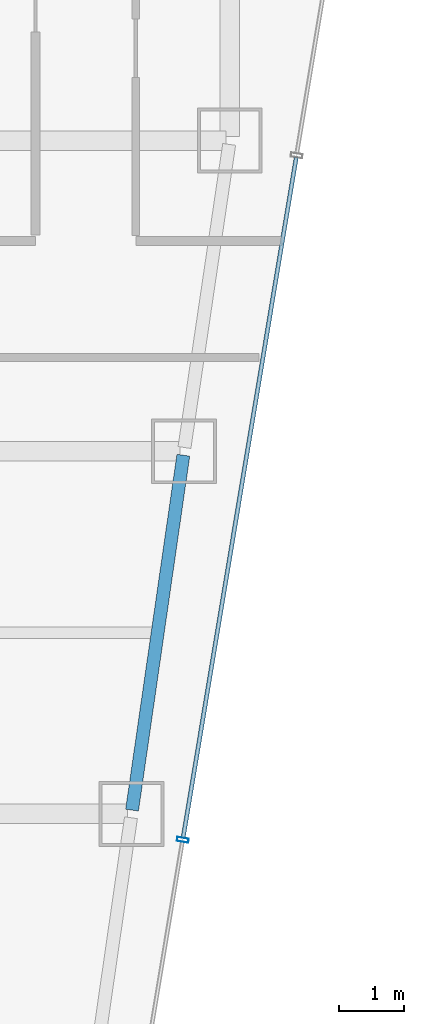
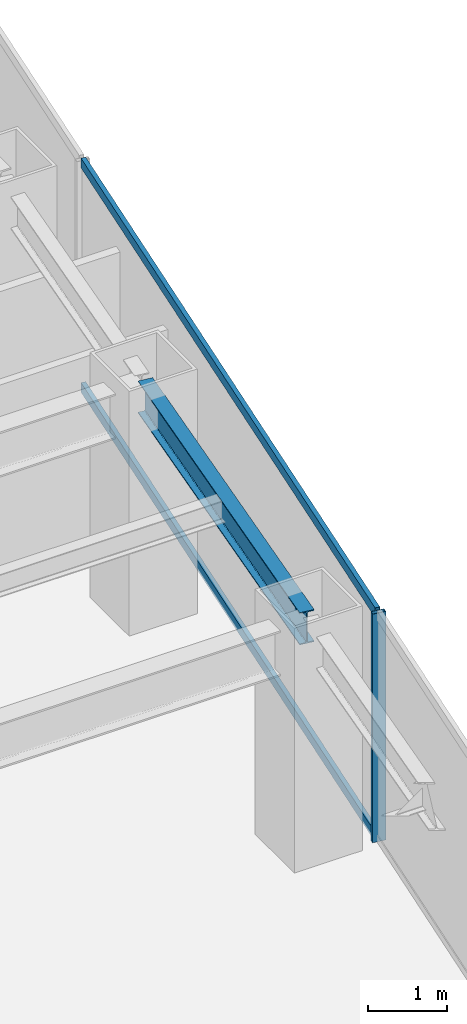
# One storey, part 18 of 37: 3 members, 1 beam, 1 element without a shape of its own.
"""IFC4 building model written with IfcOpenShell, lengths in metres."""

from ifc_helpers import new_model, si_unit, direction, frame, origin, origin_2d, place, context, subcontext, project, spatial, hollow_rectangle, i_section, extrude, material, material_profile, profile_set, type_object, element, aggregate, save


model = new_model("IFC4")

# Units and contexts
model_context = context("Model", 3, precision=1e-05, world=origin(), true_north=direction((0.0, 1.0)))
body_context = subcontext(model_context, "Body", "Model", "MODEL_VIEW")
ifc_project = project(units=[si_unit("LENGTHUNIT", "METRE"), si_unit("AREAUNIT", "SQUARE_METRE"), si_unit("VOLUMEUNIT", "CUBIC_METRE"), si_unit("PLANEANGLEUNIT", "RADIAN"), si_unit("MASSUNIT", "GRAM", prefix="KILO")], contexts=[model_context])

# Site, building, storey
site_placement = place(None, origin())
site = spatial("IfcSite", under=ifc_project, at=site_placement, CompositionType="ELEMENT")
building_placement = place(site_placement, origin())
building = spatial("IfcBuilding", under=site, at=building_placement, Name="Saevonmaru Cultural Tower", CompositionType="ELEMENT")
storey_placement = place(building_placement, frame((0.0, 0.0, 160.0)))
storey = spatial("IfcBuildingStorey", under=building, at=storey_placement, Name="L35", CompositionType="ELEMENT", Elevation=160.0)

# Beam
ifc_material_1 = material(Name="Steel SM355", Category="steel")
ifc_material_profile_1 = material_profile(ifc_material_1, i_section(OverallWidth=0.199951171875, OverallDepth=0.5, WebThickness=0.010009765625, FlangeThickness=0.01611328125, FilletRadius=0.02001953125, at=origin_2d()), Name="H-500x200x10x16")
ifc_profile_set_1 = profile_set([ifc_material_profile_1], Name="Steel SM355")
beam_type = type_object("IfcBeamType", Name="BM-SP-H500", PredefinedType="SPANDREL", material=ifc_profile_set_1)
beam_placement = place(storey_placement, frame((51.691650390625, 32.059326171875, 3.300048828125), z_axis=(0.142964121327, 0.989727871697, 0.0), x_axis=(-0.989727871697, 0.142964121327, 0.0)))
element("IfcBeam", 1, at=beam_placement, inside=storey, type_object=beam_type, Name="L35 East Splayed Spandrel 4", PredefinedType="SPANDREL", context=body_context, shape_type="SweptSolid", body=[
    extrude(i_section(OverallWidth=0.199951171875, OverallDepth=0.5, WebThickness=0.010009765625, FlangeThickness=0.01611328125, FilletRadius=0.02001953125, at=origin_2d()), origin(), (0.0, 0.0, 1.0), 5.5380859375),
])

# Curtain wall, members
ifc_material_2 = material(Name="Satin Bronze Anodised Aluminium", Category="aluminium")
curtain_wall_type = type_object("IfcCurtainWallType", Name="CW-TYP-A", PredefinedType="NOTDEFINED", material=ifc_material_2)
curtain_wall_placement = place(storey_placement, origin())
curtain_wall = element("IfcCurtainWall", 2, at=curtain_wall_placement, inside=storey, type_object=curtain_wall_type, Name="L35 Unitised Curtain Wall E8", PredefinedType="NOTDEFINED")
ifc_material_profile_2 = material_profile(ifc_material_2, hollow_rectangle(XDim=0.06494140625, YDim=0.179931640625, WallThickness=0.00390625, at=origin_2d()), Name="ALU-MULL-180x65x4")
ifc_profile_set_2 = profile_set([ifc_material_profile_2], Name="Satin Bronze Anodised Aluminium")
member_type_1 = type_object("IfcMemberType", Name="ML-CW-180x65", PredefinedType="MULLION", material=ifc_profile_set_2)
member_1_placement = place(storey_placement, frame((52.4755859375, 31.60009765625, 0.0), z_axis=(0.0, 0.0, 1.0), x_axis=(0.163998702345, 0.986460554523, 0.0)))
member_1 = element("IfcMember", 3, at=member_1_placement, type_object=member_type_1, Name="CW-TW-L35-E8 mullion 3", PredefinedType="MULLION", context=body_context, shape_type="SweptSolid", body=[
    extrude(hollow_rectangle(XDim=0.06494140625, YDim=0.179931640625, WallThickness=0.00390625, at=origin_2d()), origin(), (0.0, 0.0, 1.0), 3.550048828125),
])
ifc_material_profile_3 = material_profile(ifc_material_2, hollow_rectangle(XDim=0.06494140625, YDim=0.14990234375, WallThickness=0.00390625, at=origin_2d()), Name="ALU-TRAN-150x65x4")
ifc_profile_set_3 = profile_set([ifc_material_profile_3], Name="Satin Bronze Anodised Aluminium")
member_type_2 = type_object("IfcMemberType", Name="TR-CW-150x65", PredefinedType="USERDEFINED", material=ifc_profile_set_3)
member_2_placement = place(storey_placement, frame((52.48095703125, 31.632080078125, 0.032470703125), z_axis=(0.163990079074, 0.9864619881, 0.0), x_axis=(-0.9864619881, 0.163990079074, 0.0)))
member_2 = element("IfcMember", 4, at=member_2_placement, type_object=member_type_2, Name="CW-TW-L35-E8 transom 3.1", ObjectType="TRANSOM", PredefinedType="USERDEFINED", context=body_context, shape_type="SweptSolid", body=[
    extrude(hollow_rectangle(XDim=0.06494140625, YDim=0.14990234375, WallThickness=0.00390625, at=origin_2d()), origin(), (0.0, 0.0, 1.0), 10.650634765625),
])
member_3_placement = place(storey_placement, frame((52.48095703125, 31.632080078125, 3.517578125), z_axis=(0.163990079074, 0.9864619881, 0.0), x_axis=(-0.9864619881, 0.163990079074, 0.0)))
member_3 = element("IfcMember", 5, at=member_3_placement, type_object=member_type_2, Name="CW-TW-L35-E8 transom 3.2", ObjectType="TRANSOM", PredefinedType="USERDEFINED", context=body_context, shape_type="SweptSolid", body=[
    extrude(hollow_rectangle(XDim=0.06494140625, YDim=0.14990234375, WallThickness=0.00390625, at=origin_2d()), origin(), (0.0, 0.0, 1.0), 10.650634765625),
])
aggregate(curtain_wall, [member_1, member_2, member_3])

save(model, "model.ifc")
